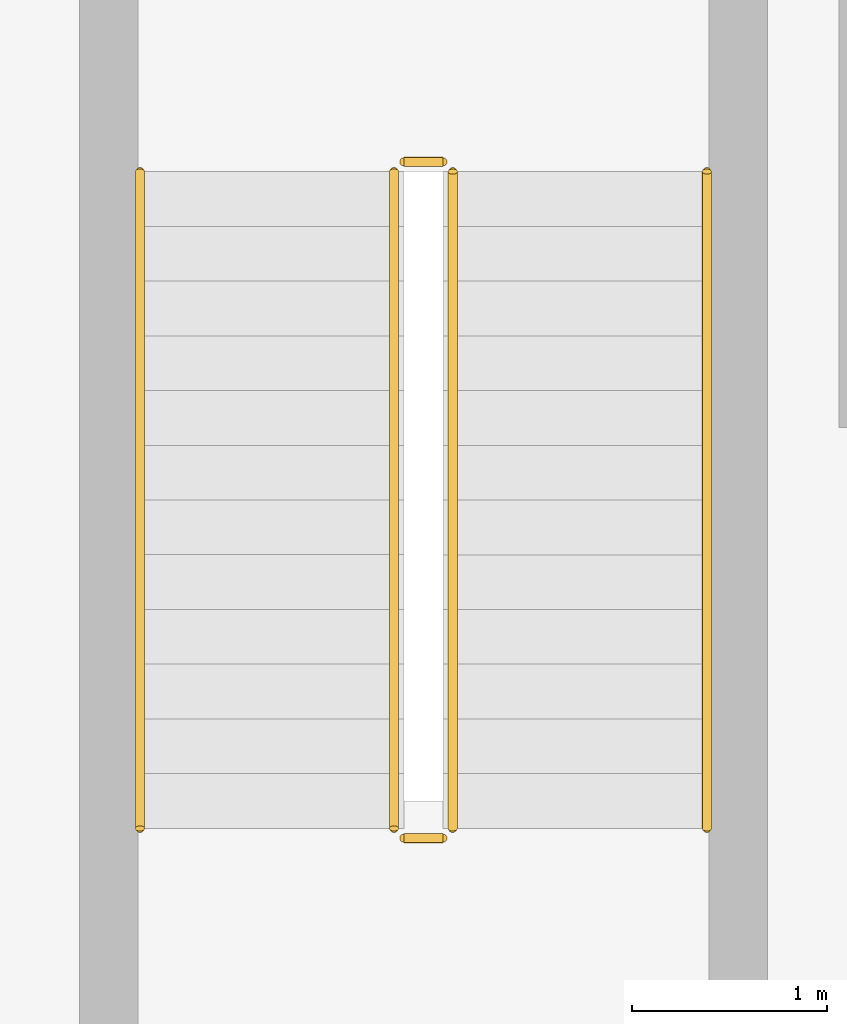
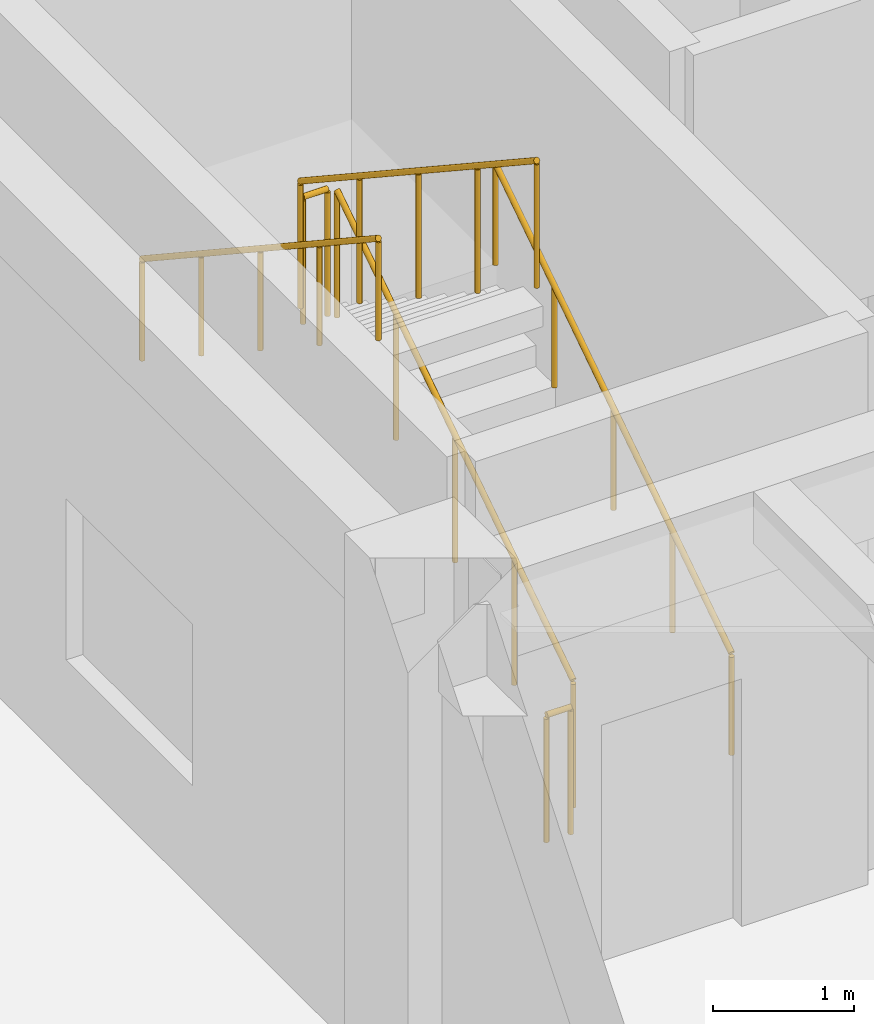
# One storey, part 50 of 64: 6 railings.
"""IFC4 building model written with IfcOpenShell, lengths in metres."""

from ifc_helpers import new_model, si_unit, direction, frame, origin, origin_2d, place, context, subcontext, project, spatial, circle, extrude, material, type_object, element, save


model = new_model("IFC4")

# Units and contexts
model_context = context("Model", 3, precision=1e-05, world=origin(), true_north=direction((0.0, 1.0)))
body_context = subcontext(model_context, "Body", "Model", "MODEL_VIEW")
ifc_project = project(units=[si_unit("LENGTHUNIT", "METRE"), si_unit("AREAUNIT", "SQUARE_METRE"), si_unit("VOLUMEUNIT", "CUBIC_METRE"), si_unit("PLANEANGLEUNIT", "RADIAN"), si_unit("MASSUNIT", "GRAM", prefix="KILO")], contexts=[model_context])

# Site, building, storey
site_placement = place(None, origin())
site = spatial("IfcSite", under=ifc_project, at=site_placement, CompositionType="ELEMENT")
building_placement = place(site_placement, origin())
building = spatial("IfcBuilding", under=site, at=building_placement, Name="Tlaxcora Railside Police Headquarters", CompositionType="ELEMENT")
storey_placement = place(building_placement, origin())
storey = spatial("IfcBuildingStorey", under=building, at=storey_placement, Name="L00", CompositionType="ELEMENT", Elevation=0.0)

# Railings
ifc_material = material(Name="Steel ASTM A992 Grade 50", Category="steel")
railing_type_1 = type_object("IfcRailingType", Name="Stair Well Guard Balustrade GR-02", PredefinedType="BALUSTRADE", material=ifc_material)
railing_1_placement = place(storey_placement, frame((48.56005859375, 54.409912109375, 0.1845703125)))
element("IfcRailing", 1, at=railing_1_placement, inside=storey, type_object=railing_type_1, Name="L00 ST4 stair guard 1", PredefinedType="BALUSTRADE", context=body_context, shape_type="SweptSolid", body=[
    extrude(circle(Radius=0.02392578125, at=origin_2d()), frame((0.0, 0.0, 1.09619140625), z_axis=(0.0, 0.834876476806, 0.550437342915), x_axis=(-1.0, 0.0, 0.0)), (0.0, 0.0, 1.0), 4.024658203125),
    extrude(circle(Radius=0.02099609375, at=origin_2d()), origin(), (0.0, 0.0, 1.0), 1.072021484375),
    extrude(circle(Radius=0.02099609375, at=origin_2d()), frame((0.0, 0.840087890625, 0.5537109375)), (0.0, 0.0, 1.0), 1.072021484375),
    extrude(circle(Radius=0.02099609375, at=origin_2d()), frame((0.0, 1.68017578125, 1.107666015625)), (0.0, 0.0, 1.0), 1.072021484375),
    extrude(circle(Radius=0.02099609375, at=origin_2d()), frame((0.0, 2.52001953125, 1.66162109375)), (0.0, 0.0, 1.0), 1.072021484375),
    extrude(circle(Radius=0.02099609375, at=origin_2d()), frame((0.0, 3.360107421875, 2.21533203125)), (0.0, 0.0, 1.0), 1.072021484375),
])
railing_2_placement = place(storey_placement, frame((48.510009765625, 57.820068359375, 2.39990234375)))
element("IfcRailing", 2, at=railing_2_placement, inside=storey, type_object=railing_type_1, Name="L00 ST4 stair guard 2", PredefinedType="BALUSTRADE", context=body_context, shape_type="SweptSolid", body=[
    extrude(circle(Radius=0.02392578125, at=origin_2d()), frame((0.0, 0.0, 1.09619140625), z_axis=(-1.0, 0.0, 0.0), x_axis=(0.0, -1.0, 0.0)), (0.0, 0.0, 1.0), 0.199951171875),
    extrude(circle(Radius=0.02099609375, at=origin_2d()), origin(), (0.0, 0.0, 1.0), 1.072021484375),
    extrude(circle(Radius=0.02099609375, at=origin_2d()), frame((-0.199951171875, 0.0, 0.0)), (0.0, 0.0, 1.0), 1.072021484375),
])
railing_3_placement = place(storey_placement, frame((48.260009765625, 57.77001953125, 2.584716796875)))
element("IfcRailing", 3, at=railing_3_placement, inside=storey, type_object=railing_type_1, Name="L00 ST4 stair guard 3", PredefinedType="BALUSTRADE", context=body_context, shape_type="SweptSolid", body=[
    extrude(circle(Radius=0.02392578125, at=origin_2d()), frame((0.0, 0.0, 1.09619140625), z_axis=(0.0, -0.834876476806, 0.550437342915), x_axis=(1.0, 0.0, 0.0)), (0.0, 0.0, 1.0), 4.024658203125),
    extrude(circle(Radius=0.02099609375, at=origin_2d()), origin(), (0.0, 0.0, 1.0), 1.072021484375),
    extrude(circle(Radius=0.02099609375, at=origin_2d()), frame((0.0, -0.840087890625, 0.5537109375)), (0.0, 0.0, 1.0), 1.072021484375),
    extrude(circle(Radius=0.02099609375, at=origin_2d()), frame((0.0, -1.68017578125, 1.107666015625)), (0.0, 0.0, 1.0), 1.072021484375),
    extrude(circle(Radius=0.02099609375, at=origin_2d()), frame((0.0, -2.52001953125, 1.66162109375)), (0.0, 0.0, 1.0), 1.072021484375),
    extrude(circle(Radius=0.02099609375, at=origin_2d()), frame((0.0, -3.360107421875, 2.21533203125)), (0.0, 0.0, 1.0), 1.072021484375),
])
railing_4_placement = place(storey_placement, frame((48.510009765625, 54.360107421875, 0.0)))
element("IfcRailing", 4, at=railing_4_placement, inside=storey, type_object=railing_type_1, Name="L00 ST4 stair guard 4", PredefinedType="BALUSTRADE", context=body_context, shape_type="SweptSolid", body=[
    extrude(circle(Radius=0.02392578125, at=origin_2d()), frame((0.0, 0.0, 1.09619140625), z_axis=(-1.0, 0.0, 0.0), x_axis=(0.0, -1.0, 0.0)), (0.0, 0.0, 1.0), 0.199951171875),
    extrude(circle(Radius=0.02099609375, at=origin_2d()), origin(), (0.0, 0.0, 1.0), 1.072021484375),
    extrude(circle(Radius=0.02099609375, at=origin_2d()), frame((-0.199951171875, 0.0, 0.0)), (0.0, 0.0, 1.0), 1.072021484375),
])
railing_type_2 = type_object("IfcRailingType", Name="Stair and Ramp Handrail HR-01", PredefinedType="HANDRAIL", material=ifc_material)
railing_5_placement = place(storey_placement, frame((49.860107421875, 54.409912109375, 0.1845703125)))
element("IfcRailing", 5, at=railing_5_placement, inside=storey, type_object=railing_type_2, Name="L00 ST4 stair handrail 1", PredefinedType="HANDRAIL", context=body_context, shape_type="SweptSolid", body=[
    extrude(circle(Radius=0.02392578125, at=origin_2d()), frame((0.0, 0.0, 0.8759765625), z_axis=(0.0, 0.834876476806, 0.550437342915), x_axis=(-1.0, 0.0, 0.0)), (0.0, 0.0, 1.0), 4.024658203125),
    extrude(circle(Radius=0.02099609375, at=origin_2d()), origin(), (0.0, 0.0, 1.0), 0.851806640625),
    extrude(circle(Radius=0.02099609375, at=origin_2d()), frame((0.0, 0.840087890625, 0.5537109375)), (0.0, 0.0, 1.0), 0.851806640625),
    extrude(circle(Radius=0.02099609375, at=origin_2d()), frame((0.0, 1.68017578125, 1.107666015625)), (0.0, 0.0, 1.0), 0.851806640625),
    extrude(circle(Radius=0.02099609375, at=origin_2d()), frame((0.0, 2.52001953125, 1.66162109375)), (0.0, 0.0, 1.0), 0.851806640625),
    extrude(circle(Radius=0.02099609375, at=origin_2d()), frame((0.0, 3.360107421875, 2.21533203125)), (0.0, 0.0, 1.0), 0.851806640625),
])
railing_6_placement = place(storey_placement, frame((46.9599609375, 57.77001953125, 2.584716796875)))
element("IfcRailing", 6, at=railing_6_placement, inside=storey, type_object=railing_type_2, Name="L00 ST4 stair handrail 2", PredefinedType="HANDRAIL", context=body_context, shape_type="SweptSolid", body=[
    extrude(circle(Radius=0.02392578125, at=origin_2d()), frame((0.0, 0.0, 0.8759765625), z_axis=(0.0, -0.834876476806, 0.550437342915), x_axis=(1.0, 0.0, 0.0)), (0.0, 0.0, 1.0), 4.024658203125),
    extrude(circle(Radius=0.02099609375, at=origin_2d()), origin(), (0.0, 0.0, 1.0), 0.851806640625),
    extrude(circle(Radius=0.02099609375, at=origin_2d()), frame((0.0, -0.840087890625, 0.5537109375)), (0.0, 0.0, 1.0), 0.851806640625),
    extrude(circle(Radius=0.02099609375, at=origin_2d()), frame((0.0, -1.68017578125, 1.107666015625)), (0.0, 0.0, 1.0), 0.851806640625),
    extrude(circle(Radius=0.02099609375, at=origin_2d()), frame((0.0, -2.52001953125, 1.66162109375)), (0.0, 0.0, 1.0), 0.851806640625),
    extrude(circle(Radius=0.02099609375, at=origin_2d()), frame((0.0, -3.360107421875, 2.21533203125)), (0.0, 0.0, 1.0), 0.851806640625),
])

save(model, "model.ifc")
